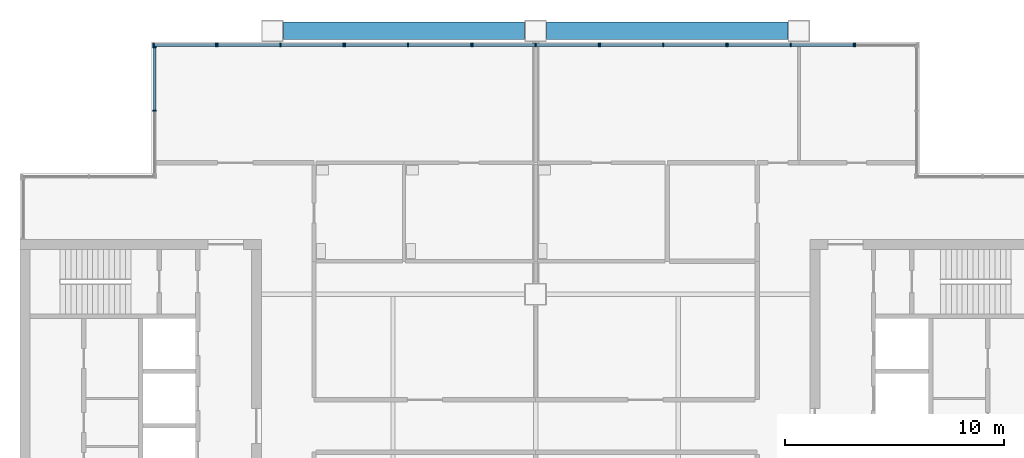
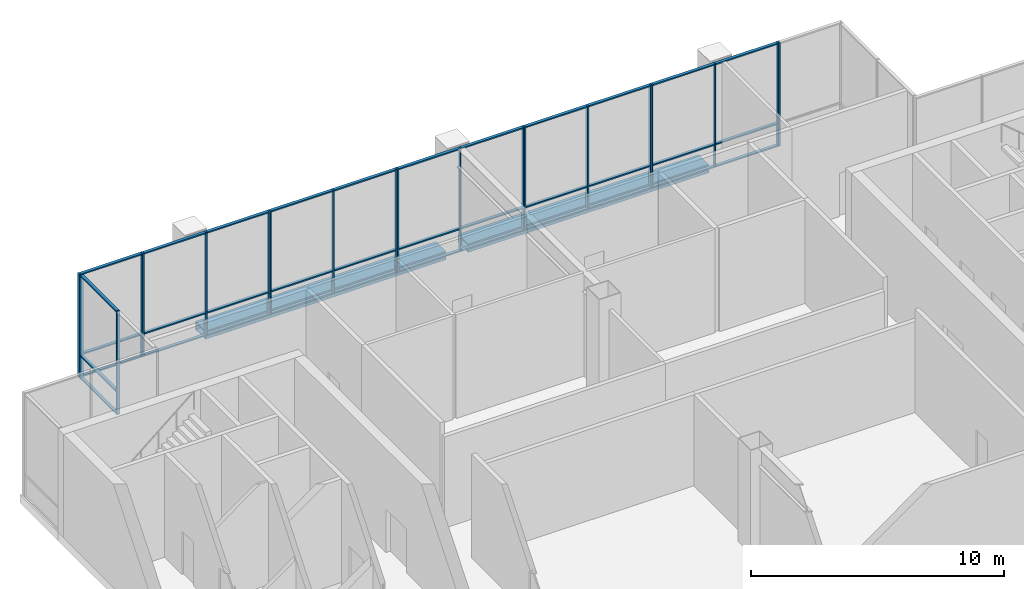
# One storey, part 7 of 15: 56 members, 2 beams, 8 elements without a shape of their own.
"""IFC4 building model written with IfcOpenShell, lengths in metres."""

from ifc_helpers import new_model, si_unit, direction, frame, origin, origin_2d, place, context, subcontext, project, spatial, rectangle, hollow_rectangle, extrude, material, material_profile, profile_set, type_object, element, aggregate, save


model = new_model("IFC4")

# Units and contexts
model_context = context("Model", 3, precision=1e-05, world=origin(), true_north=direction((0.0, 1.0)))
body_context = subcontext(model_context, "Body", "Model", "MODEL_VIEW")
ifc_project = project(units=[si_unit("LENGTHUNIT", "METRE"), si_unit("AREAUNIT", "SQUARE_METRE"), si_unit("VOLUMEUNIT", "CUBIC_METRE"), si_unit("PLANEANGLEUNIT", "RADIAN"), si_unit("MASSUNIT", "GRAM", prefix="KILO")], contexts=[model_context])

# Site, building, storey
site_placement = place(None, origin())
site = spatial("IfcSite", under=ifc_project, at=site_placement, CompositionType="ELEMENT")
building_placement = place(site_placement, origin())
building = spatial("IfcBuilding", under=site, at=building_placement, Name="Kitamizu Gate Tower and Museum", CompositionType="ELEMENT")
storey_placement = place(building_placement, frame((0.0, 0.0, 277.949951171875)))
storey = spatial("IfcBuildingStorey", under=building, at=storey_placement, Name="L75", CompositionType="ELEMENT", Elevation=277.949951171875)

# Beams
ifc_material_1 = material(Name="Steel SM490A bronze coated", Category="steel")
ifc_material_profile_1 = material_profile(ifc_material_1, hollow_rectangle(XDim=0.800048828125, YDim=0.39990234375, WallThickness=0.0400390625, at=origin_2d()), Name="BOX 800x400x40")
ifc_profile_set_1 = profile_set([ifc_material_profile_1], Name="Steel SM490A bronze coated")
beam_type = type_object("IfcBeamType", Name="Exoskeleton spandrel beam SB1 BOX 800x400x40", PredefinedType="SPANDREL", material=ifc_profile_set_1)
for number, where, z_axis, x_axis, name in (
    (1, (24.5, 48.0, -0.199951171875), (1.0, 0.0, 0.0), (0.0, 1.0, 0.0), "Exoskeleton spandrel beam north 24 L75"),
    (2, (36.5, 48.0, -0.199951171875), (1.0, 0.0, 0.0), (0.0, 1.0, 0.0), "Exoskeleton spandrel beam north 36 L75"),
):
    element("IfcBeam", number, at=place(storey_placement, frame(where, z_axis=z_axis, x_axis=x_axis)), inside=storey, type_object=beam_type, Name=name, PredefinedType="SPANDREL", context=body_context, shape_type="SweptSolid", body=[
        extrude(hollow_rectangle(XDim=0.800048828125, YDim=0.39990234375, WallThickness=0.0400390625, at=origin_2d()), origin(), (0.0, 0.0, 1.0), 11.0),
    ])

# Curtain wall, members
ifc_material_2 = material(Name="Bronze anodised aluminium frame, tinted triple glazing", Category="aluminium")
curtain_wall_type_1 = type_object("IfcCurtainWallType", Name="CURTAIN WALL TYPE C SKY AMENITY", PredefinedType="NOTDEFINED", material=ifc_material_2)
curtain_wall_1_placement = place(storey_placement, origin())
curtain_wall_1 = element("IfcCurtainWall", 3, at=curtain_wall_1_placement, inside=storey, type_object=curtain_wall_type_1, Name="Curtain wall CW-C north L75 part 1", PredefinedType="NOTDEFINED")
ifc_material_3 = material(Name="Bronze anodised aluminium", Category="aluminium")
ifc_material_profile_2 = material_profile(ifc_material_3, rectangle(XDim=0.06005859375, YDim=0.14990234375, at=origin_2d()), Name="AL 60X150")
ifc_profile_set_2 = profile_set([ifc_material_profile_2], Name="Bronze anodised aluminium")
member_type_1 = type_object("IfcMemberType", Name="MULLION 60 X 150 TYPE C", PredefinedType="MULLION", material=ifc_profile_set_2)
member_1_placement = place(storey_placement, frame((18.590087890625, 47.364990234375, 0.0), z_axis=(0.0, 0.0, 1.0), x_axis=(1.0, 0.0, 0.0)))
member_1 = element("IfcMember", 4, at=member_1_placement, type_object=member_type_1, Name="CW-C mullion 1", PredefinedType="MULLION", context=body_context, shape_type="SweptSolid", body=[
    extrude(rectangle(XDim=0.06005859375, YDim=0.14990234375, at=origin_2d()), origin(), (0.0, 0.0, 1.0), 5.0),
])
member_2_placement = place(storey_placement, frame((21.436767578125, 47.364990234375, 0.0), z_axis=(0.0, 0.0, 1.0), x_axis=(1.0, 0.0, 0.0)))
member_2 = element("IfcMember", 5, at=member_2_placement, type_object=member_type_1, Name="CW-C mullion 2", PredefinedType="MULLION", context=body_context, shape_type="SweptSolid", body=[
    extrude(rectangle(XDim=0.06005859375, YDim=0.14990234375, at=origin_2d()), origin(), (0.0, 0.0, 1.0), 5.0),
])

ifc_material_4 = material(Name="Bronze anodised aluminium frame, insulated panels", Category="aluminium")
curtain_wall_type_2 = type_object("IfcCurtainWallType", Name="CURTAIN WALL TYPE C SKY AMENITY INSULATED", PredefinedType="NOTDEFINED", material=ifc_material_4)
curtain_wall_2_placement = place(storey_placement, origin())
curtain_wall_2 = element("IfcCurtainWall", 6, at=curtain_wall_2_placement, inside=storey, type_object=curtain_wall_type_2, Name="Curtain wall CW-CI north L75 part 2", PredefinedType="NOTDEFINED")
member_3_placement = place(storey_placement, frame((21.49658203125, 47.364990234375, 0.0), z_axis=(0.0, 0.0, 1.0), x_axis=(1.0, 0.0, 0.0)))
member_3 = element("IfcMember", 7, at=member_3_placement, type_object=member_type_1, Name="CW-CI mullion 1", PredefinedType="MULLION", context=body_context, shape_type="SweptSolid", body=[
    extrude(rectangle(XDim=0.06005859375, YDim=0.14990234375, at=origin_2d()), origin(), (0.0, 0.0, 1.0), 5.0),
])
member_4_placement = place(storey_placement, frame((24.373291015625, 47.364990234375, 0.0), z_axis=(0.0, 0.0, 1.0), x_axis=(1.0, 0.0, 0.0)))
member_4 = element("IfcMember", 8, at=member_4_placement, type_object=member_type_1, Name="CW-CI mullion 2", PredefinedType="MULLION", context=body_context, shape_type="SweptSolid", body=[
    extrude(rectangle(XDim=0.06005859375, YDim=0.14990234375, at=origin_2d()), origin(), (0.0, 0.0, 1.0), 5.0),
])
member_5_placement = place(storey_placement, frame((27.25, 47.364990234375, 0.0), z_axis=(0.0, 0.0, 1.0), x_axis=(1.0, 0.0, 0.0)))
member_5 = element("IfcMember", 9, at=member_5_placement, type_object=member_type_1, Name="CW-CI mullion 3", PredefinedType="MULLION", context=body_context, shape_type="SweptSolid", body=[
    extrude(rectangle(XDim=0.06005859375, YDim=0.14990234375, at=origin_2d()), origin(), (0.0, 0.0, 1.0), 5.0),
])

curtain_wall_3_placement = place(storey_placement, origin())
curtain_wall_3 = element("IfcCurtainWall", 10, at=curtain_wall_3_placement, inside=storey, type_object=curtain_wall_type_1, Name="Curtain wall CW-C north L75 part 3", PredefinedType="NOTDEFINED")
member_6_placement = place(storey_placement, frame((27.31005859375, 47.364990234375, 0.0), z_axis=(0.0, 0.0, 1.0), x_axis=(1.0, 0.0, 0.0)))
member_6 = element("IfcMember", 11, at=member_6_placement, type_object=member_type_1, Name="CW-C mullion 1", PredefinedType="MULLION", context=body_context, shape_type="SweptSolid", body=[
    extrude(rectangle(XDim=0.06005859375, YDim=0.14990234375, at=origin_2d()), origin(), (0.0, 0.0, 1.0), 5.0),
])
member_7_placement = place(storey_placement, frame((30.186767578125, 47.364990234375, 0.0), z_axis=(0.0, 0.0, 1.0), x_axis=(1.0, 0.0, 0.0)))
member_7 = element("IfcMember", 12, at=member_7_placement, type_object=member_type_1, Name="CW-C mullion 2", PredefinedType="MULLION", context=body_context, shape_type="SweptSolid", body=[
    extrude(rectangle(XDim=0.06005859375, YDim=0.14990234375, at=origin_2d()), origin(), (0.0, 0.0, 1.0), 5.0),
])
member_8_placement = place(storey_placement, frame((33.063232421875, 47.364990234375, 0.0), z_axis=(0.0, 0.0, 1.0), x_axis=(1.0, 0.0, 0.0)))
member_8 = element("IfcMember", 13, at=member_8_placement, type_object=member_type_1, Name="CW-C mullion 3", PredefinedType="MULLION", context=body_context, shape_type="SweptSolid", body=[
    extrude(rectangle(XDim=0.06005859375, YDim=0.14990234375, at=origin_2d()), origin(), (0.0, 0.0, 1.0), 5.0),
])

curtain_wall_4_placement = place(storey_placement, origin())
curtain_wall_4 = element("IfcCurtainWall", 14, at=curtain_wall_4_placement, inside=storey, type_object=curtain_wall_type_2, Name="Curtain wall CW-CI north L75 part 4", PredefinedType="NOTDEFINED")
member_9_placement = place(storey_placement, frame((33.123291015625, 47.364990234375, 0.0), z_axis=(0.0, 0.0, 1.0), x_axis=(1.0, 0.0, 0.0)))
member_9 = element("IfcMember", 15, at=member_9_placement, type_object=member_type_1, Name="CW-CI mullion 1", PredefinedType="MULLION", context=body_context, shape_type="SweptSolid", body=[
    extrude(rectangle(XDim=0.06005859375, YDim=0.14990234375, at=origin_2d()), origin(), (0.0, 0.0, 1.0), 5.0),
])
member_10_placement = place(storey_placement, frame((36.0, 47.364990234375, 0.0), z_axis=(0.0, 0.0, 1.0), x_axis=(1.0, 0.0, 0.0)))
member_10 = element("IfcMember", 16, at=member_10_placement, type_object=member_type_1, Name="CW-CI mullion 2", PredefinedType="MULLION", context=body_context, shape_type="SweptSolid", body=[
    extrude(rectangle(XDim=0.06005859375, YDim=0.14990234375, at=origin_2d()), origin(), (0.0, 0.0, 1.0), 5.0),
])
member_11_placement = place(storey_placement, frame((38.876708984375, 47.364990234375, 0.0), z_axis=(0.0, 0.0, 1.0), x_axis=(1.0, 0.0, 0.0)))
member_11 = element("IfcMember", 17, at=member_11_placement, type_object=member_type_1, Name="CW-CI mullion 3", PredefinedType="MULLION", context=body_context, shape_type="SweptSolid", body=[
    extrude(rectangle(XDim=0.06005859375, YDim=0.14990234375, at=origin_2d()), origin(), (0.0, 0.0, 1.0), 5.0),
])

curtain_wall_5_placement = place(storey_placement, origin())
curtain_wall_5 = element("IfcCurtainWall", 18, at=curtain_wall_5_placement, inside=storey, type_object=curtain_wall_type_1, Name="Curtain wall CW-C north L75 part 5", PredefinedType="NOTDEFINED")
member_12_placement = place(storey_placement, frame((38.936767578125, 47.364990234375, 0.0), z_axis=(0.0, 0.0, 1.0), x_axis=(1.0, 0.0, 0.0)))
member_12 = element("IfcMember", 19, at=member_12_placement, type_object=member_type_1, Name="CW-C mullion 1", PredefinedType="MULLION", context=body_context, shape_type="SweptSolid", body=[
    extrude(rectangle(XDim=0.06005859375, YDim=0.14990234375, at=origin_2d()), origin(), (0.0, 0.0, 1.0), 5.0),
])
member_13_placement = place(storey_placement, frame((41.813232421875, 47.364990234375, 0.0), z_axis=(0.0, 0.0, 1.0), x_axis=(1.0, 0.0, 0.0)))
member_13 = element("IfcMember", 20, at=member_13_placement, type_object=member_type_1, Name="CW-C mullion 2", PredefinedType="MULLION", context=body_context, shape_type="SweptSolid", body=[
    extrude(rectangle(XDim=0.06005859375, YDim=0.14990234375, at=origin_2d()), origin(), (0.0, 0.0, 1.0), 5.0),
])
member_14_placement = place(storey_placement, frame((44.68994140625, 47.364990234375, 0.0), z_axis=(0.0, 0.0, 1.0), x_axis=(1.0, 0.0, 0.0)))
member_14 = element("IfcMember", 21, at=member_14_placement, type_object=member_type_1, Name="CW-C mullion 3", PredefinedType="MULLION", context=body_context, shape_type="SweptSolid", body=[
    extrude(rectangle(XDim=0.06005859375, YDim=0.14990234375, at=origin_2d()), origin(), (0.0, 0.0, 1.0), 5.0),
])

curtain_wall_6_placement = place(storey_placement, origin())
curtain_wall_6 = element("IfcCurtainWall", 22, at=curtain_wall_6_placement, inside=storey, type_object=curtain_wall_type_2, Name="Curtain wall CW-CI north L75 part 6", PredefinedType="NOTDEFINED")
member_15_placement = place(storey_placement, frame((44.75, 47.364990234375, 0.0), z_axis=(0.0, 0.0, 1.0), x_axis=(1.0, 0.0, 0.0)))
member_15 = element("IfcMember", 23, at=member_15_placement, type_object=member_type_1, Name="CW-CI mullion 1", PredefinedType="MULLION", context=body_context, shape_type="SweptSolid", body=[
    extrude(rectangle(XDim=0.06005859375, YDim=0.14990234375, at=origin_2d()), origin(), (0.0, 0.0, 1.0), 5.0),
])
member_16_placement = place(storey_placement, frame((47.626708984375, 47.364990234375, 0.0), z_axis=(0.0, 0.0, 1.0), x_axis=(1.0, 0.0, 0.0)))
member_16 = element("IfcMember", 24, at=member_16_placement, type_object=member_type_1, Name="CW-CI mullion 2", PredefinedType="MULLION", context=body_context, shape_type="SweptSolid", body=[
    extrude(rectangle(XDim=0.06005859375, YDim=0.14990234375, at=origin_2d()), origin(), (0.0, 0.0, 1.0), 5.0),
])
member_17_placement = place(storey_placement, frame((50.50341796875, 47.364990234375, 0.0), z_axis=(0.0, 0.0, 1.0), x_axis=(1.0, 0.0, 0.0)))
member_17 = element("IfcMember", 25, at=member_17_placement, type_object=member_type_1, Name="CW-CI mullion 3", PredefinedType="MULLION", context=body_context, shape_type="SweptSolid", body=[
    extrude(rectangle(XDim=0.06005859375, YDim=0.14990234375, at=origin_2d()), origin(), (0.0, 0.0, 1.0), 5.0),
])

# Curtain wall, member
curtain_wall_7_placement = place(storey_placement, origin())
curtain_wall_7 = element("IfcCurtainWall", 26, at=curtain_wall_7_placement, inside=storey, type_object=curtain_wall_type_1, Name="Curtain wall CW-C north L75 part 7", PredefinedType="NOTDEFINED")
member_18_placement = place(storey_placement, frame((50.563232421875, 47.364990234375, 0.0), z_axis=(0.0, 0.0, 1.0), x_axis=(1.0, 0.0, 0.0)))
member_18 = element("IfcMember", 27, at=member_18_placement, type_object=member_type_1, Name="CW-C mullion 1", PredefinedType="MULLION", context=body_context, shape_type="SweptSolid", body=[
    extrude(rectangle(XDim=0.06005859375, YDim=0.14990234375, at=origin_2d()), origin(), (0.0, 0.0, 1.0), 5.0),
])
aggregate(curtain_wall_7, [member_18])

# Curtain wall, members
curtain_wall_8_placement = place(storey_placement, origin())
curtain_wall_8 = element("IfcCurtainWall", 28, at=curtain_wall_8_placement, inside=storey, type_object=curtain_wall_type_1, Name="Curtain wall CW-C west L75", PredefinedType="NOTDEFINED")
member_19_placement = place(storey_placement, frame((18.635009765625, 44.364990234375, 0.0), z_axis=(0.0, 0.0, 1.0), x_axis=(0.0, 1.0, 0.0)))
member_19 = element("IfcMember", 29, at=member_19_placement, type_object=member_type_1, Name="CW-C mullion 2", PredefinedType="MULLION", context=body_context, shape_type="SweptSolid", body=[
    extrude(rectangle(XDim=0.06005859375, YDim=0.14990234375, at=origin_2d()), origin(), (0.0, 0.0, 1.0), 5.0),
])
member_20_placement = place(storey_placement, frame((18.635009765625, 47.260009765625, 0.0), z_axis=(0.0, 0.0, 1.0), x_axis=(0.0, 1.0, 0.0)))
member_20 = element("IfcMember", 30, at=member_20_placement, type_object=member_type_1, Name="CW-C mullion 3", PredefinedType="MULLION", context=body_context, shape_type="SweptSolid", body=[
    extrude(rectangle(XDim=0.06005859375, YDim=0.14990234375, at=origin_2d()), origin(), (0.0, 0.0, 1.0), 5.0),
])

# Member
ifc_material_5 = material(Name="Bronze anodised aluminium", Category="aluminium")
ifc_material_profile_3 = material_profile(ifc_material_5, rectangle(XDim=0.139892578125, YDim=0.06005859375, at=origin_2d()), Name="AL 60X140")
ifc_profile_set_3 = profile_set([ifc_material_profile_3], Name="Bronze anodised aluminium")
member_type_2 = type_object("IfcMemberType", Name="TRANSOM 60 X 140 TYPE C", PredefinedType="USERDEFINED", material=ifc_profile_set_3)
member_21_placement = place(storey_placement, frame((18.6201171875, 47.364990234375, 0.030029296875), z_axis=(1.0, 0.0, 0.0), x_axis=(0.0, 1.0, 0.0)))
member_21 = element("IfcMember", 31, at=member_21_placement, type_object=member_type_2, Name="CW-C transom 1.1", ObjectType="TRANSOM", PredefinedType="USERDEFINED", context=body_context, shape_type="SweptSolid", body=[
    extrude(rectangle(XDim=0.139892578125, YDim=0.06005859375, at=origin_2d()), origin(), (0.0, 0.0, 1.0), 2.78662109375),
])

member_22_placement = place(storey_placement, frame((18.6201171875, 47.364990234375, 1.10009765625), z_axis=(1.0, 0.0, 0.0), x_axis=(0.0, 1.0, 0.0)))
member_22 = element("IfcMember", 32, at=member_22_placement, type_object=member_type_2, Name="CW-C transom 1.2", ObjectType="TRANSOM", PredefinedType="USERDEFINED", context=body_context, shape_type="SweptSolid", body=[
    extrude(rectangle(XDim=0.139892578125, YDim=0.06005859375, at=origin_2d()), origin(), (0.0, 0.0, 1.0), 2.78662109375),
])

member_23_placement = place(storey_placement, frame((18.6201171875, 47.364990234375, 4.969970703125), z_axis=(1.0, 0.0, 0.0), x_axis=(0.0, 1.0, 0.0)))
member_23 = element("IfcMember", 33, at=member_23_placement, type_object=member_type_2, Name="CW-C transom 1.3", ObjectType="TRANSOM", PredefinedType="USERDEFINED", context=body_context, shape_type="SweptSolid", body=[
    extrude(rectangle(XDim=0.139892578125, YDim=0.06005859375, at=origin_2d()), origin(), (0.0, 0.0, 1.0), 2.78662109375),
])

aggregate(curtain_wall_1, [member_1, member_2, member_21, member_22, member_23])

member_24_placement = place(storey_placement, frame((21.526611328125, 47.364990234375, 0.030029296875), z_axis=(1.0, 0.0, 0.0), x_axis=(0.0, 1.0, 0.0)))
member_24 = element("IfcMember", 34, at=member_24_placement, type_object=member_type_2, Name="CW-CI transom 1.1", ObjectType="TRANSOM", PredefinedType="USERDEFINED", context=body_context, shape_type="SweptSolid", body=[
    extrude(rectangle(XDim=0.139892578125, YDim=0.06005859375, at=origin_2d()), origin(), (0.0, 0.0, 1.0), 2.816650390625),
])

member_25_placement = place(storey_placement, frame((21.526611328125, 47.364990234375, 1.10009765625), z_axis=(1.0, 0.0, 0.0), x_axis=(0.0, 1.0, 0.0)))
member_25 = element("IfcMember", 35, at=member_25_placement, type_object=member_type_2, Name="CW-CI transom 1.2", ObjectType="TRANSOM", PredefinedType="USERDEFINED", context=body_context, shape_type="SweptSolid", body=[
    extrude(rectangle(XDim=0.139892578125, YDim=0.06005859375, at=origin_2d()), origin(), (0.0, 0.0, 1.0), 2.816650390625),
])

member_26_placement = place(storey_placement, frame((21.526611328125, 47.364990234375, 4.969970703125), z_axis=(1.0, 0.0, 0.0), x_axis=(0.0, 1.0, 0.0)))
member_26 = element("IfcMember", 36, at=member_26_placement, type_object=member_type_2, Name="CW-CI transom 1.3", ObjectType="TRANSOM", PredefinedType="USERDEFINED", context=body_context, shape_type="SweptSolid", body=[
    extrude(rectangle(XDim=0.139892578125, YDim=0.06005859375, at=origin_2d()), origin(), (0.0, 0.0, 1.0), 2.816650390625),
])

member_27_placement = place(storey_placement, frame((24.4033203125, 47.364990234375, 0.030029296875), z_axis=(1.0, 0.0, 0.0), x_axis=(0.0, 1.0, 0.0)))
member_27 = element("IfcMember", 37, at=member_27_placement, type_object=member_type_2, Name="CW-CI transom 2.1", ObjectType="TRANSOM", PredefinedType="USERDEFINED", context=body_context, shape_type="SweptSolid", body=[
    extrude(rectangle(XDim=0.139892578125, YDim=0.06005859375, at=origin_2d()), origin(), (0.0, 0.0, 1.0), 2.816650390625),
])

member_28_placement = place(storey_placement, frame((24.4033203125, 47.364990234375, 1.10009765625), z_axis=(1.0, 0.0, 0.0), x_axis=(0.0, 1.0, 0.0)))
member_28 = element("IfcMember", 38, at=member_28_placement, type_object=member_type_2, Name="CW-CI transom 2.2", ObjectType="TRANSOM", PredefinedType="USERDEFINED", context=body_context, shape_type="SweptSolid", body=[
    extrude(rectangle(XDim=0.139892578125, YDim=0.06005859375, at=origin_2d()), origin(), (0.0, 0.0, 1.0), 2.816650390625),
])

member_29_placement = place(storey_placement, frame((24.4033203125, 47.364990234375, 4.969970703125), z_axis=(1.0, 0.0, 0.0), x_axis=(0.0, 1.0, 0.0)))
member_29 = element("IfcMember", 39, at=member_29_placement, type_object=member_type_2, Name="CW-CI transom 2.3", ObjectType="TRANSOM", PredefinedType="USERDEFINED", context=body_context, shape_type="SweptSolid", body=[
    extrude(rectangle(XDim=0.139892578125, YDim=0.06005859375, at=origin_2d()), origin(), (0.0, 0.0, 1.0), 2.816650390625),
])

aggregate(curtain_wall_2, [member_3, member_4, member_5, member_24, member_25, member_26, member_27, member_28, member_29])

member_30_placement = place(storey_placement, frame((27.340087890625, 47.364990234375, 0.030029296875), z_axis=(1.0, 0.0, 0.0), x_axis=(0.0, 1.0, 0.0)))
member_30 = element("IfcMember", 40, at=member_30_placement, type_object=member_type_2, Name="CW-C transom 1.1", ObjectType="TRANSOM", PredefinedType="USERDEFINED", context=body_context, shape_type="SweptSolid", body=[
    extrude(rectangle(XDim=0.139892578125, YDim=0.06005859375, at=origin_2d()), origin(), (0.0, 0.0, 1.0), 2.816650390625),
])

member_31_placement = place(storey_placement, frame((27.340087890625, 47.364990234375, 1.10009765625), z_axis=(1.0, 0.0, 0.0), x_axis=(0.0, 1.0, 0.0)))
member_31 = element("IfcMember", 41, at=member_31_placement, type_object=member_type_2, Name="CW-C transom 1.2", ObjectType="TRANSOM", PredefinedType="USERDEFINED", context=body_context, shape_type="SweptSolid", body=[
    extrude(rectangle(XDim=0.139892578125, YDim=0.06005859375, at=origin_2d()), origin(), (0.0, 0.0, 1.0), 2.816650390625),
])

member_32_placement = place(storey_placement, frame((27.340087890625, 47.364990234375, 4.969970703125), z_axis=(1.0, 0.0, 0.0), x_axis=(0.0, 1.0, 0.0)))
member_32 = element("IfcMember", 42, at=member_32_placement, type_object=member_type_2, Name="CW-C transom 1.3", ObjectType="TRANSOM", PredefinedType="USERDEFINED", context=body_context, shape_type="SweptSolid", body=[
    extrude(rectangle(XDim=0.139892578125, YDim=0.06005859375, at=origin_2d()), origin(), (0.0, 0.0, 1.0), 2.816650390625),
])

member_33_placement = place(storey_placement, frame((30.216552734375, 47.364990234375, 0.030029296875), z_axis=(1.0, 0.0, 0.0), x_axis=(0.0, 1.0, 0.0)))
member_33 = element("IfcMember", 43, at=member_33_placement, type_object=member_type_2, Name="CW-C transom 2.1", ObjectType="TRANSOM", PredefinedType="USERDEFINED", context=body_context, shape_type="SweptSolid", body=[
    extrude(rectangle(XDim=0.139892578125, YDim=0.06005859375, at=origin_2d()), origin(), (0.0, 0.0, 1.0), 2.81689453125),
])

member_34_placement = place(storey_placement, frame((30.216552734375, 47.364990234375, 1.10009765625), z_axis=(1.0, 0.0, 0.0), x_axis=(0.0, 1.0, 0.0)))
member_34 = element("IfcMember", 44, at=member_34_placement, type_object=member_type_2, Name="CW-C transom 2.2", ObjectType="TRANSOM", PredefinedType="USERDEFINED", context=body_context, shape_type="SweptSolid", body=[
    extrude(rectangle(XDim=0.139892578125, YDim=0.06005859375, at=origin_2d()), origin(), (0.0, 0.0, 1.0), 2.81689453125),
])

member_35_placement = place(storey_placement, frame((30.216552734375, 47.364990234375, 4.969970703125), z_axis=(1.0, 0.0, 0.0), x_axis=(0.0, 1.0, 0.0)))
member_35 = element("IfcMember", 45, at=member_35_placement, type_object=member_type_2, Name="CW-C transom 2.3", ObjectType="TRANSOM", PredefinedType="USERDEFINED", context=body_context, shape_type="SweptSolid", body=[
    extrude(rectangle(XDim=0.139892578125, YDim=0.06005859375, at=origin_2d()), origin(), (0.0, 0.0, 1.0), 2.81689453125),
])

aggregate(curtain_wall_3, [member_6, member_7, member_8, member_30, member_31, member_32, member_33, member_34, member_35])

member_36_placement = place(storey_placement, frame((33.1533203125, 47.364990234375, 0.030029296875), z_axis=(1.0, 0.0, 0.0), x_axis=(0.0, 1.0, 0.0)))
member_36 = element("IfcMember", 46, at=member_36_placement, type_object=member_type_2, Name="CW-CI transom 1.1", ObjectType="TRANSOM", PredefinedType="USERDEFINED", context=body_context, shape_type="SweptSolid", body=[
    extrude(rectangle(XDim=0.139892578125, YDim=0.06005859375, at=origin_2d()), origin(), (0.0, 0.0, 1.0), 2.816650390625),
])

member_37_placement = place(storey_placement, frame((33.1533203125, 47.364990234375, 1.10009765625), z_axis=(1.0, 0.0, 0.0), x_axis=(0.0, 1.0, 0.0)))
member_37 = element("IfcMember", 47, at=member_37_placement, type_object=member_type_2, Name="CW-CI transom 1.2", ObjectType="TRANSOM", PredefinedType="USERDEFINED", context=body_context, shape_type="SweptSolid", body=[
    extrude(rectangle(XDim=0.139892578125, YDim=0.06005859375, at=origin_2d()), origin(), (0.0, 0.0, 1.0), 2.816650390625),
])

member_38_placement = place(storey_placement, frame((33.1533203125, 47.364990234375, 4.969970703125), z_axis=(1.0, 0.0, 0.0), x_axis=(0.0, 1.0, 0.0)))
member_38 = element("IfcMember", 48, at=member_38_placement, type_object=member_type_2, Name="CW-CI transom 1.3", ObjectType="TRANSOM", PredefinedType="USERDEFINED", context=body_context, shape_type="SweptSolid", body=[
    extrude(rectangle(XDim=0.139892578125, YDim=0.06005859375, at=origin_2d()), origin(), (0.0, 0.0, 1.0), 2.816650390625),
])

member_39_placement = place(storey_placement, frame((36.030029296875, 47.364990234375, 0.030029296875), z_axis=(1.0, 0.0, 0.0), x_axis=(0.0, 1.0, 0.0)))
member_39 = element("IfcMember", 49, at=member_39_placement, type_object=member_type_2, Name="CW-CI transom 2.1", ObjectType="TRANSOM", PredefinedType="USERDEFINED", context=body_context, shape_type="SweptSolid", body=[
    extrude(rectangle(XDim=0.139892578125, YDim=0.06005859375, at=origin_2d()), origin(), (0.0, 0.0, 1.0), 2.816650390625),
])

member_40_placement = place(storey_placement, frame((36.030029296875, 47.364990234375, 1.10009765625), z_axis=(1.0, 0.0, 0.0), x_axis=(0.0, 1.0, 0.0)))
member_40 = element("IfcMember", 50, at=member_40_placement, type_object=member_type_2, Name="CW-CI transom 2.2", ObjectType="TRANSOM", PredefinedType="USERDEFINED", context=body_context, shape_type="SweptSolid", body=[
    extrude(rectangle(XDim=0.139892578125, YDim=0.06005859375, at=origin_2d()), origin(), (0.0, 0.0, 1.0), 2.816650390625),
])

member_41_placement = place(storey_placement, frame((36.030029296875, 47.364990234375, 4.969970703125), z_axis=(1.0, 0.0, 0.0), x_axis=(0.0, 1.0, 0.0)))
member_41 = element("IfcMember", 51, at=member_41_placement, type_object=member_type_2, Name="CW-CI transom 2.3", ObjectType="TRANSOM", PredefinedType="USERDEFINED", context=body_context, shape_type="SweptSolid", body=[
    extrude(rectangle(XDim=0.139892578125, YDim=0.06005859375, at=origin_2d()), origin(), (0.0, 0.0, 1.0), 2.816650390625),
])

aggregate(curtain_wall_4, [member_9, member_10, member_11, member_36, member_37, member_38, member_39, member_40, member_41])

member_42_placement = place(storey_placement, frame((38.966552734375, 47.364990234375, 0.030029296875), z_axis=(1.0, 0.0, 0.0), x_axis=(0.0, 1.0, 0.0)))
member_42 = element("IfcMember", 52, at=member_42_placement, type_object=member_type_2, Name="CW-C transom 1.1", ObjectType="TRANSOM", PredefinedType="USERDEFINED", context=body_context, shape_type="SweptSolid", body=[
    extrude(rectangle(XDim=0.139892578125, YDim=0.06005859375, at=origin_2d()), origin(), (0.0, 0.0, 1.0), 2.81689453125),
])

member_43_placement = place(storey_placement, frame((38.966552734375, 47.364990234375, 1.10009765625), z_axis=(1.0, 0.0, 0.0), x_axis=(0.0, 1.0, 0.0)))
member_43 = element("IfcMember", 53, at=member_43_placement, type_object=member_type_2, Name="CW-C transom 1.2", ObjectType="TRANSOM", PredefinedType="USERDEFINED", context=body_context, shape_type="SweptSolid", body=[
    extrude(rectangle(XDim=0.139892578125, YDim=0.06005859375, at=origin_2d()), origin(), (0.0, 0.0, 1.0), 2.81689453125),
])

member_44_placement = place(storey_placement, frame((38.966552734375, 47.364990234375, 4.969970703125), z_axis=(1.0, 0.0, 0.0), x_axis=(0.0, 1.0, 0.0)))
member_44 = element("IfcMember", 54, at=member_44_placement, type_object=member_type_2, Name="CW-C transom 1.3", ObjectType="TRANSOM", PredefinedType="USERDEFINED", context=body_context, shape_type="SweptSolid", body=[
    extrude(rectangle(XDim=0.139892578125, YDim=0.06005859375, at=origin_2d()), origin(), (0.0, 0.0, 1.0), 2.81689453125),
])

member_45_placement = place(storey_placement, frame((41.84326171875, 47.364990234375, 0.030029296875), z_axis=(1.0, 0.0, 0.0), x_axis=(0.0, 1.0, 0.0)))
member_45 = element("IfcMember", 55, at=member_45_placement, type_object=member_type_2, Name="CW-C transom 2.1", ObjectType="TRANSOM", PredefinedType="USERDEFINED", context=body_context, shape_type="SweptSolid", body=[
    extrude(rectangle(XDim=0.139892578125, YDim=0.06005859375, at=origin_2d()), origin(), (0.0, 0.0, 1.0), 2.816650390625),
])

member_46_placement = place(storey_placement, frame((41.84326171875, 47.364990234375, 1.10009765625), z_axis=(1.0, 0.0, 0.0), x_axis=(0.0, 1.0, 0.0)))
member_46 = element("IfcMember", 56, at=member_46_placement, type_object=member_type_2, Name="CW-C transom 2.2", ObjectType="TRANSOM", PredefinedType="USERDEFINED", context=body_context, shape_type="SweptSolid", body=[
    extrude(rectangle(XDim=0.139892578125, YDim=0.06005859375, at=origin_2d()), origin(), (0.0, 0.0, 1.0), 2.816650390625),
])

member_47_placement = place(storey_placement, frame((41.84326171875, 47.364990234375, 4.969970703125), z_axis=(1.0, 0.0, 0.0), x_axis=(0.0, 1.0, 0.0)))
member_47 = element("IfcMember", 57, at=member_47_placement, type_object=member_type_2, Name="CW-C transom 2.3", ObjectType="TRANSOM", PredefinedType="USERDEFINED", context=body_context, shape_type="SweptSolid", body=[
    extrude(rectangle(XDim=0.139892578125, YDim=0.06005859375, at=origin_2d()), origin(), (0.0, 0.0, 1.0), 2.816650390625),
])

aggregate(curtain_wall_5, [member_12, member_13, member_14, member_42, member_43, member_44, member_45, member_46, member_47])

member_48_placement = place(storey_placement, frame((44.780029296875, 47.364990234375, 0.030029296875), z_axis=(1.0, 0.0, 0.0), x_axis=(0.0, 1.0, 0.0)))
member_48 = element("IfcMember", 58, at=member_48_placement, type_object=member_type_2, Name="CW-CI transom 1.1", ObjectType="TRANSOM", PredefinedType="USERDEFINED", context=body_context, shape_type="SweptSolid", body=[
    extrude(rectangle(XDim=0.139892578125, YDim=0.06005859375, at=origin_2d()), origin(), (0.0, 0.0, 1.0), 2.816650390625),
])

member_49_placement = place(storey_placement, frame((44.780029296875, 47.364990234375, 1.10009765625), z_axis=(1.0, 0.0, 0.0), x_axis=(0.0, 1.0, 0.0)))
member_49 = element("IfcMember", 59, at=member_49_placement, type_object=member_type_2, Name="CW-CI transom 1.2", ObjectType="TRANSOM", PredefinedType="USERDEFINED", context=body_context, shape_type="SweptSolid", body=[
    extrude(rectangle(XDim=0.139892578125, YDim=0.06005859375, at=origin_2d()), origin(), (0.0, 0.0, 1.0), 2.816650390625),
])

member_50_placement = place(storey_placement, frame((44.780029296875, 47.364990234375, 4.969970703125), z_axis=(1.0, 0.0, 0.0), x_axis=(0.0, 1.0, 0.0)))
member_50 = element("IfcMember", 60, at=member_50_placement, type_object=member_type_2, Name="CW-CI transom 1.3", ObjectType="TRANSOM", PredefinedType="USERDEFINED", context=body_context, shape_type="SweptSolid", body=[
    extrude(rectangle(XDim=0.139892578125, YDim=0.06005859375, at=origin_2d()), origin(), (0.0, 0.0, 1.0), 2.816650390625),
])

member_51_placement = place(storey_placement, frame((47.65673828125, 47.364990234375, 0.030029296875), z_axis=(1.0, 0.0, 0.0), x_axis=(0.0, 1.0, 0.0)))
member_51 = element("IfcMember", 61, at=member_51_placement, type_object=member_type_2, Name="CW-CI transom 2.1", ObjectType="TRANSOM", PredefinedType="USERDEFINED", context=body_context, shape_type="SweptSolid", body=[
    extrude(rectangle(XDim=0.139892578125, YDim=0.06005859375, at=origin_2d()), origin(), (0.0, 0.0, 1.0), 2.816650390625),
])

member_52_placement = place(storey_placement, frame((47.65673828125, 47.364990234375, 1.10009765625), z_axis=(1.0, 0.0, 0.0), x_axis=(0.0, 1.0, 0.0)))
member_52 = element("IfcMember", 62, at=member_52_placement, type_object=member_type_2, Name="CW-CI transom 2.2", ObjectType="TRANSOM", PredefinedType="USERDEFINED", context=body_context, shape_type="SweptSolid", body=[
    extrude(rectangle(XDim=0.139892578125, YDim=0.06005859375, at=origin_2d()), origin(), (0.0, 0.0, 1.0), 2.816650390625),
])

member_53_placement = place(storey_placement, frame((47.65673828125, 47.364990234375, 4.969970703125), z_axis=(1.0, 0.0, 0.0), x_axis=(0.0, 1.0, 0.0)))
member_53 = element("IfcMember", 63, at=member_53_placement, type_object=member_type_2, Name="CW-CI transom 2.3", ObjectType="TRANSOM", PredefinedType="USERDEFINED", context=body_context, shape_type="SweptSolid", body=[
    extrude(rectangle(XDim=0.139892578125, YDim=0.06005859375, at=origin_2d()), origin(), (0.0, 0.0, 1.0), 2.816650390625),
])

aggregate(curtain_wall_6, [member_15, member_16, member_17, member_48, member_49, member_50, member_51, member_52, member_53])

member_54_placement = place(storey_placement, frame((18.635009765625, 44.39501953125, 0.030029296875), z_axis=(0.0, 1.0, 0.0), x_axis=(-1.0, 0.0, 0.0)))
member_54 = element("IfcMember", 64, at=member_54_placement, type_object=member_type_2, Name="CW-C transom 2.1", ObjectType="TRANSOM", PredefinedType="USERDEFINED", context=body_context, shape_type="SweptSolid", body=[
    extrude(rectangle(XDim=0.139892578125, YDim=0.06005859375, at=origin_2d()), origin(), (0.0, 0.0, 1.0), 2.8349609375),
])

member_55_placement = place(storey_placement, frame((18.635009765625, 44.39501953125, 1.10009765625), z_axis=(0.0, 1.0, 0.0), x_axis=(-1.0, 0.0, 0.0)))
member_55 = element("IfcMember", 65, at=member_55_placement, type_object=member_type_2, Name="CW-C transom 2.2", ObjectType="TRANSOM", PredefinedType="USERDEFINED", context=body_context, shape_type="SweptSolid", body=[
    extrude(rectangle(XDim=0.139892578125, YDim=0.06005859375, at=origin_2d()), origin(), (0.0, 0.0, 1.0), 2.8349609375),
])

member_56_placement = place(storey_placement, frame((18.635009765625, 44.39501953125, 4.969970703125), z_axis=(0.0, 1.0, 0.0), x_axis=(-1.0, 0.0, 0.0)))
member_56 = element("IfcMember", 66, at=member_56_placement, type_object=member_type_2, Name="CW-C transom 2.3", ObjectType="TRANSOM", PredefinedType="USERDEFINED", context=body_context, shape_type="SweptSolid", body=[
    extrude(rectangle(XDim=0.139892578125, YDim=0.06005859375, at=origin_2d()), origin(), (0.0, 0.0, 1.0), 2.8349609375),
])

aggregate(curtain_wall_8, [member_19, member_20, member_54, member_55, member_56])

save(model, "model.ifc")
